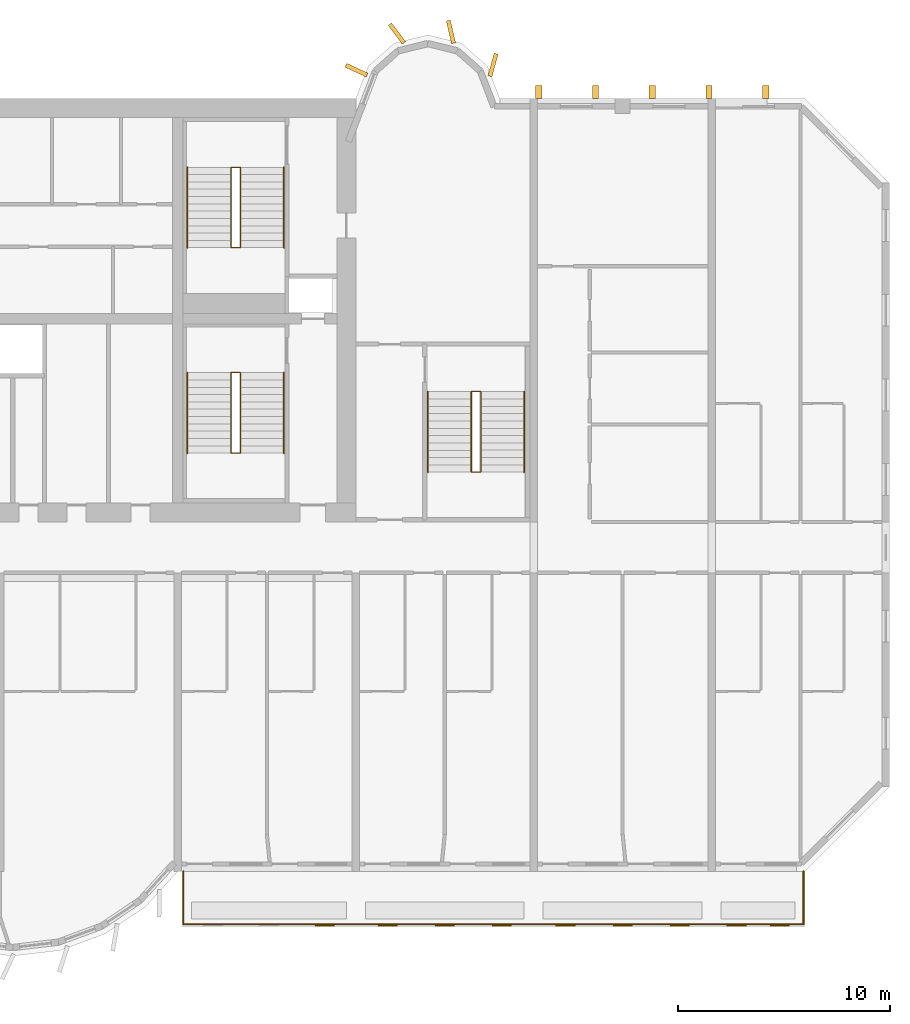
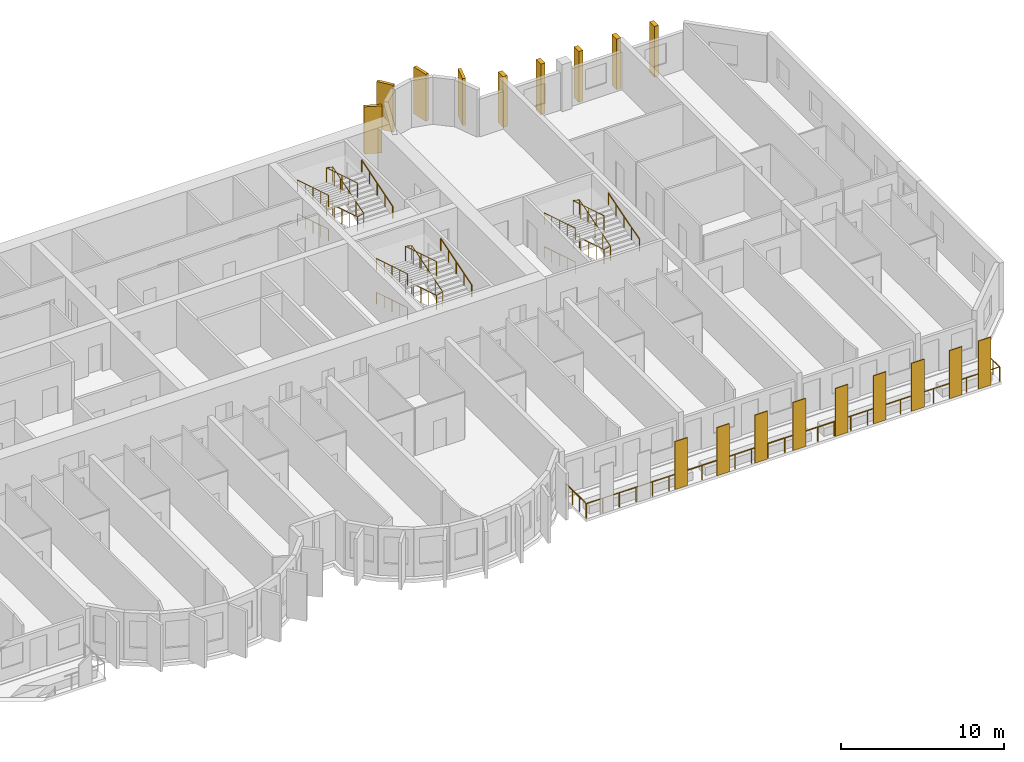
# One storey, part 14 of 15: 18 coverings, 13 railings.
"""IFC4 building model written with IfcOpenShell, lengths in metres."""

from ifc_helpers import new_model, si_unit, direction, frame, origin, origin_2d, place, context, subcontext, project, spatial, rectangle, circle, extrude, source, transform, mapped, material, layer, layer_set, material_profile, profile_set, type_object, element, save


model = new_model("IFC4")

# Units and contexts
model_context = context("Model", 3, precision=1e-05, world=origin(), true_north=direction((0.0, 1.0)))
body_context = subcontext(model_context, "Body", "Model", "MODEL_VIEW")
ifc_project = project(units=[si_unit("LENGTHUNIT", "METRE"), si_unit("AREAUNIT", "SQUARE_METRE"), si_unit("VOLUMEUNIT", "CUBIC_METRE"), si_unit("PLANEANGLEUNIT", "RADIAN"), si_unit("MASSUNIT", "GRAM", prefix="KILO")], contexts=[model_context])

# Site, building, storey
site_placement = place(None, origin())
site = spatial("IfcSite", under=ifc_project, at=site_placement, CompositionType="ELEMENT")
building_placement = place(site_placement, origin())
building = spatial("IfcBuilding", under=site, at=building_placement, Name="Vanashikhar Sky Hotel", CompositionType="ELEMENT")
storey_placement = place(building_placement, frame((0.0, 0.0, 95.199951171875)))
storey = spatial("IfcBuildingStorey", under=building, at=storey_placement, Name="L22", CompositionType="ELEMENT", Elevation=95.199951171875)

# Railing
ifc_material_1 = material(Name="Stainless steel 316", Category="steel")
railing_type_1 = type_object("IfcRailingType", Name="Balcony guard 1100", PredefinedType="GUARDRAIL", material=ifc_material_1)
shared_shape_1 = source(origin(), body_context, "Body", "SweptSolid", [
    extrude(circle(Radius=0.02392578125, at=origin_2d()), frame((0.0, 0.0, 1.076171875), z_axis=(0.0, -1.0, 0.0), x_axis=(1.0, 0.0, 0.0)), (0.0, 0.0, 1.0), 2.5),
    extrude(circle(Radius=0.02392578125, at=origin_2d()), frame((0.0, -2.5, 1.076171875), z_axis=(1.0, 0.0, 0.0), x_axis=(0.0, 1.0, 0.0)), (0.0, 0.0, 1.0), 29.280029296875),
    extrude(circle(Radius=0.02392578125, at=origin_2d()), frame((29.280029296875, -2.5, 1.076171875), z_axis=(0.0, 1.0, 0.0), x_axis=(-1.0, 0.0, 0.0)), (0.0, 0.0, 1.0), 2.5),
    extrude(circle(Radius=0.02099609375, at=origin_2d()), origin(), (0.0, 0.0, 1.0), 1.052001953125),
    extrude(circle(Radius=0.02099609375, at=origin_2d()), frame((0.0, -0.833251953125, 0.0)), (0.0, 0.0, 1.0), 1.052001953125),
    extrude(circle(Radius=0.02099609375, at=origin_2d()), frame((0.0, -1.666748046875, 0.0)), (0.0, 0.0, 1.0), 1.052001953125),
    extrude(circle(Radius=0.02099609375, at=origin_2d()), frame((0.0, -2.5, 0.0)), (0.0, 0.0, 1.0), 1.052001953125),
    extrude(circle(Radius=0.02099609375, at=origin_2d()), frame((1.171142578125, -2.5, 0.0)), (0.0, 0.0, 1.0), 1.052001953125),
    extrude(circle(Radius=0.02099609375, at=origin_2d()), frame((2.34228515625, -2.5, 0.0)), (0.0, 0.0, 1.0), 1.052001953125),
    extrude(circle(Radius=0.02099609375, at=origin_2d()), frame((3.513671875, -2.5, 0.0)), (0.0, 0.0, 1.0), 1.052001953125),
    extrude(circle(Radius=0.02099609375, at=origin_2d()), frame((4.684814453125, -2.5, 0.0)), (0.0, 0.0, 1.0), 1.052001953125),
    extrude(circle(Radius=0.02099609375, at=origin_2d()), frame((5.85595703125, -2.5, 0.0)), (0.0, 0.0, 1.0), 1.052001953125),
    extrude(circle(Radius=0.02099609375, at=origin_2d()), frame((7.027099609375, -2.5, 0.0)), (0.0, 0.0, 1.0), 1.052001953125),
    extrude(circle(Radius=0.02099609375, at=origin_2d()), frame((8.198486328125, -2.5, 0.0)), (0.0, 0.0, 1.0), 1.052001953125),
    extrude(circle(Radius=0.02099609375, at=origin_2d()), frame((9.36962890625, -2.5, 0.0)), (0.0, 0.0, 1.0), 1.052001953125),
    extrude(circle(Radius=0.02099609375, at=origin_2d()), frame((10.540771484375, -2.5, 0.0)), (0.0, 0.0, 1.0), 1.052001953125),
    extrude(circle(Radius=0.02099609375, at=origin_2d()), frame((11.7119140625, -2.5, 0.0)), (0.0, 0.0, 1.0), 1.052001953125),
    extrude(circle(Radius=0.02099609375, at=origin_2d()), frame((12.88330078125, -2.5, 0.0)), (0.0, 0.0, 1.0), 1.052001953125),
    extrude(circle(Radius=0.02099609375, at=origin_2d()), frame((14.054443359375, -2.5, 0.0)), (0.0, 0.0, 1.0), 1.052001953125),
    extrude(circle(Radius=0.02099609375, at=origin_2d()), frame((15.2255859375, -2.5, 0.0)), (0.0, 0.0, 1.0), 1.052001953125),
    extrude(circle(Radius=0.02099609375, at=origin_2d()), frame((16.396728515625, -2.5, 0.0)), (0.0, 0.0, 1.0), 1.052001953125),
    extrude(circle(Radius=0.02099609375, at=origin_2d()), frame((17.568115234375, -2.5, 0.0)), (0.0, 0.0, 1.0), 1.052001953125),
    extrude(circle(Radius=0.02099609375, at=origin_2d()), frame((18.7392578125, -2.5, 0.0)), (0.0, 0.0, 1.0), 1.052001953125),
    extrude(circle(Radius=0.02099609375, at=origin_2d()), frame((19.910400390625, -2.5, 0.0)), (0.0, 0.0, 1.0), 1.052001953125),
    extrude(circle(Radius=0.02099609375, at=origin_2d()), frame((21.08154296875, -2.5, 0.0)), (0.0, 0.0, 1.0), 1.052001953125),
    extrude(circle(Radius=0.02099609375, at=origin_2d()), frame((22.2529296875, -2.5, 0.0)), (0.0, 0.0, 1.0), 1.052001953125),
    extrude(circle(Radius=0.02099609375, at=origin_2d()), frame((23.424072265625, -2.5, 0.0)), (0.0, 0.0, 1.0), 1.052001953125),
    extrude(circle(Radius=0.02099609375, at=origin_2d()), frame((24.59521484375, -2.5, 0.0)), (0.0, 0.0, 1.0), 1.052001953125),
    extrude(circle(Radius=0.02099609375, at=origin_2d()), frame((25.766357421875, -2.5, 0.0)), (0.0, 0.0, 1.0), 1.052001953125),
    extrude(circle(Radius=0.02099609375, at=origin_2d()), frame((26.937744140625, -2.5, 0.0)), (0.0, 0.0, 1.0), 1.052001953125),
    extrude(circle(Radius=0.02099609375, at=origin_2d()), frame((28.10888671875, -2.5, 0.0)), (0.0, 0.0, 1.0), 1.052001953125),
    extrude(circle(Radius=0.02099609375, at=origin_2d()), frame((29.280029296875, -2.5, 0.0)), (0.0, 0.0, 1.0), 1.052001953125),
    extrude(circle(Radius=0.02099609375, at=origin_2d()), frame((29.280029296875, -1.666748046875, 0.0)), (0.0, 0.0, 1.0), 1.052001953125),
    extrude(circle(Radius=0.02099609375, at=origin_2d()), frame((29.280029296875, -0.833251953125, 0.0)), (0.0, 0.0, 1.0), 1.052001953125),
    extrude(circle(Radius=0.02099609375, at=origin_2d()), frame((29.280029296875, 0.0, 0.0)), (0.0, 0.0, 1.0), 1.052001953125),
])
railing_1_placement = place(storey_placement, frame((67.4599609375, 5.5, -0.050048828125)))
element("IfcRailing", 1, at=railing_1_placement, inside=storey, type_object=railing_type_1, Name="Balcony guard", PredefinedType="GUARDRAIL", context=body_context, shape_type="MappedRepresentation", body=[
    mapped(shared_shape_1, transform((0.0, 0.0, 0.0), scale=1.0)),
])

# Coverings
ifc_material_2 = material(Name="Terracotta", Category="masonry")
ifc_layer = layer(ifc_material_2, 0.06005859375)
ifc_layer_set = layer_set([ifc_layer], Name="Terracotta baguette screen")
covering_type_1 = type_object("IfcCoveringType", Name="Terracotta baguette screen", PredefinedType="CLADDING", material=ifc_layer_set)
shared_shape_2 = source(origin(), body_context, "Body", "SweptSolid", [
    extrude(rectangle(XDim=0.89990234375, YDim=0.06005859375, at=origin_2d()), origin(), (0.0, 0.0, 1.0), 3.60009765625),
])
for number, where, z_axis, x_axis, name in (
    (2, (74.13330078125, 2.929931640625, -0.050048828125), (0.0, 0.0, 1.0), (1.0, 0.0, 0.0), "Terracotta screen"),
    (3, (77.10009765625, 2.929931640625, -0.050048828125), (0.0, 0.0, 1.0), (1.0, 0.0, 0.0), "Terracotta screen"),
    (4, (79.800048828125, 2.929931640625, -0.050048828125), (0.0, 0.0, 1.0), (1.0, 0.0, 0.0), "Terracotta screen"),
    (5, (82.5, 2.929931640625, -0.050048828125), (0.0, 0.0, 1.0), (1.0, 0.0, 0.0), "Terracotta screen"),
    (6, (85.5, 2.929931640625, -0.050048828125), (0.0, 0.0, 1.0), (1.0, 0.0, 0.0), "Terracotta screen"),
    (7, (88.199951171875, 2.929931640625, -0.050048828125), (0.0, 0.0, 1.0), (1.0, 0.0, 0.0), "Terracotta screen"),
    (8, (90.89990234375, 2.929931640625, -0.050048828125), (0.0, 0.0, 1.0), (1.0, 0.0, 0.0), "Terracotta screen"),
    (9, (93.574951171875, 2.929931640625, -0.050048828125), (0.0, 0.0, 1.0), (1.0, 0.0, 0.0), "Terracotta screen"),
    (10, (95.625, 2.929931640625, -0.050048828125), (0.0, 0.0, 1.0), (1.0, 0.0, 0.0), "Terracotta screen"),
):
    element("IfcCovering", number, at=place(storey_placement, frame(where, z_axis=z_axis, x_axis=x_axis)), inside=storey, type_object=covering_type_1, Name=name, PredefinedType="CLADDING", context=body_context, shape_type="MappedRepresentation", body=[
        mapped(shared_shape_2, transform((0.0, 0.0, 0.0), scale=1.0)),
    ])
ifc_material_3 = material(Name="Concrete M60 dark", Category="concrete")
ifc_material_profile_1 = material_profile(ifc_material_3, rectangle(XDim=1.10009765625, YDim=0.199951171875, at=origin_2d()))
ifc_profile_set_1 = profile_set([ifc_material_profile_1], Name="Rear lobe fin 1100 x 200")
covering_type_2 = type_object("IfcCoveringType", Name="Rear lobe fin 1100 x 200", PredefinedType="CLADDING", material=ifc_profile_set_1)
shared_shape_3 = source(origin(), body_context, "Body", "SweptSolid", [
    extrude(rectangle(XDim=1.10009765625, YDim=0.199951171875, at=origin_2d()), origin(), (0.0, 0.0, 1.0), 3.52001953125),
])
for number, where, z_axis, x_axis, name in (
    (11, (75.63037109375, 43.33447265625, 0.0), (0.0, 0.0, 1.0), (-0.908004291068, 0.418960866193, 0.0), "Fin R2-1"),
    (12, (77.5380859375, 45.06640625, 0.0), (0.0, 0.0, 1.0), (-0.602065892195, 0.798446404874, 0.0), "Fin R2-2"),
    (13, (80.08984375, 45.1455078125, 0.0), (0.0, 0.0, 1.0), (-0.224644935864, 0.974440687159, 0.0), "Fin R2-3"),
    (14, (82.0791015625, 43.580078125, 0.0), (0.0, 0.0, 1.0), (0.262711264409, 0.964874495234, 0.0), "Fin R2-4"),
):
    element("IfcCovering", number, at=place(storey_placement, frame(where, z_axis=z_axis, x_axis=x_axis)), inside=storey, type_object=covering_type_2, Name=name, PredefinedType="CLADDING", context=body_context, shape_type="MappedRepresentation", body=[
        mapped(shared_shape_3, transform((0.0, 0.0, 0.0), scale=1.0)),
    ])
ifc_material_profile_2 = material_profile(ifc_material_3, rectangle(XDim=0.60009765625, YDim=0.300048828125, at=origin_2d()))
ifc_profile_set_2 = profile_set([ifc_material_profile_2], Name="Rear rib 600 x 300")
covering_type_3 = type_object("IfcCoveringType", Name="Rear rib 600 x 300", PredefinedType="CLADDING", material=ifc_profile_set_2)
shared_shape_4 = source(origin(), body_context, "Body", "SweptSolid", [
    extrude(rectangle(XDim=0.60009765625, YDim=0.300048828125, at=origin_2d()), origin(), (0.0, 0.0, 1.0), 3.800048828125),
])
for number, where, z_axis, x_axis, name in (
    (15, (84.239990234375, 42.300048828125, -0.280029296875), (0.0, 0.0, 1.0), (0.0, 1.0, 0.0), "Rear rib"),
    (16, (86.919921875, 42.300048828125, -0.280029296875), (0.0, 0.0, 1.0), (0.0, 1.0, 0.0), "Rear rib"),
    (17, (89.60009765625, 42.300048828125, -0.280029296875), (0.0, 0.0, 1.0), (0.0, 1.0, 0.0), "Rear rib"),
    (18, (92.280029296875, 42.300048828125, -0.280029296875), (0.0, 0.0, 1.0), (0.0, 1.0, 0.0), "Rear rib"),
    (19, (94.9599609375, 42.300048828125, -0.280029296875), (0.0, 0.0, 1.0), (0.0, 1.0, 0.0), "Rear rib"),
):
    element("IfcCovering", number, at=place(storey_placement, frame(where, z_axis=z_axis, x_axis=x_axis)), inside=storey, type_object=covering_type_3, Name=name, PredefinedType="CLADDING", context=body_context, shape_type="MappedRepresentation", body=[
        mapped(shared_shape_4, transform((0.0, 0.0, 0.0), scale=1.0)),
    ])

# Railings
ifc_material_4 = material(Name="Steel S355", Category="steel")
railing_type_2 = type_object("IfcRailingType", Name="Stair handrail 900", PredefinedType="HANDRAIL", material=ifc_material_4)
shared_shape_5 = source(origin(), body_context, "Body", "SweptSolid", [
    extrude(circle(Radius=0.02392578125, at=origin_2d()), frame((0.0, 0.0, 0.8759765625), z_axis=(0.0, 0.95635109408, 0.292220096591), x_axis=(-1.0, 0.0, 0.0)), (0.0, 0.0, 1.0), 3.973388671875),
    extrude(circle(Radius=0.02099609375, at=origin_2d()), origin(), (0.0, 0.0, 1.0), 0.851806640625),
    extrude(circle(Radius=0.02099609375, at=origin_2d()), frame((0.0, 0.949951171875, 0.290283203125)), (0.0, 0.0, 1.0), 0.851806640625),
    extrude(circle(Radius=0.02099609375, at=origin_2d()), frame((0.0, 1.89990234375, 0.58056640625)), (0.0, 0.0, 1.0), 0.851806640625),
    extrude(circle(Radius=0.02099609375, at=origin_2d()), frame((0.0, 2.85009765625, 0.870849609375)), (0.0, 0.0, 1.0), 0.851806640625),
    extrude(circle(Radius=0.02099609375, at=origin_2d()), frame((0.0, 3.800048828125, 1.1611328125)), (0.0, 0.0, 1.0), 0.851806640625),
])
for number, where, name in (
    (20, (72.199951171875, 25.25, 1.372314453125), "Exit stair 2 handrail"),
    (21, (72.199951171875, 34.949951171875, 1.372314453125), "Exit stair 6 handrail"),
):
    element("IfcRailing", number, at=place(storey_placement, frame(where)), inside=storey, type_object=railing_type_2, Name=name, PredefinedType="HANDRAIL", context=body_context, shape_type="MappedRepresentation", body=[
        mapped(shared_shape_5, transform((0.0, 0.0, 0.0), scale=1.0)),
    ])
shared_shape_6 = source(origin(), body_context, "Body", "SweptSolid", [
    extrude(circle(Radius=0.02392578125, at=origin_2d()), frame((0.0, 0.0, 0.8759765625), z_axis=(0.0, -0.95635109408, 0.292220096591), x_axis=(1.0, 0.0, 0.0)), (0.0, 0.0, 1.0), 3.973388671875),
    extrude(circle(Radius=0.02099609375, at=origin_2d()), origin(), (0.0, 0.0, 1.0), 0.851806640625),
    extrude(circle(Radius=0.02099609375, at=origin_2d()), frame((0.0, -0.949951171875, 0.290283203125)), (0.0, 0.0, 1.0), 0.851806640625),
    extrude(circle(Radius=0.02099609375, at=origin_2d()), frame((0.0, -1.89990234375, 0.58056640625)), (0.0, 0.0, 1.0), 0.851806640625),
    extrude(circle(Radius=0.02099609375, at=origin_2d()), frame((0.0, -2.85009765625, 0.870849609375)), (0.0, 0.0, 1.0), 0.851806640625),
    extrude(circle(Radius=0.02099609375, at=origin_2d()), frame((0.0, -3.800048828125, 1.1611328125)), (0.0, 0.0, 1.0), 0.851806640625),
])
for number, where, name in (
    (22, (67.64990234375, 29.050048828125, 2.638916015625), "Exit stair 2 handrail"),
    (23, (67.64990234375, 38.75, 2.638916015625), "Exit stair 6 handrail"),
):
    element("IfcRailing", number, at=place(storey_placement, frame(where)), inside=storey, type_object=railing_type_2, Name=name, PredefinedType="HANDRAIL", context=body_context, shape_type="MappedRepresentation", body=[
        mapped(shared_shape_6, transform((0.0, 0.0, 0.0), scale=1.0)),
    ])
shared_shape_7 = source(origin(), body_context, "Body", "SweptSolid", [
    extrude(circle(Radius=0.02392578125, at=origin_2d()), frame((0.0, 0.0, 0.8759765625), z_axis=(0.0, -0.956368263741, 0.292163899395), x_axis=(1.0, 0.0, 0.0)), (0.0, 0.0, 1.0), 3.973388671875),
    extrude(circle(Radius=0.02099609375, at=origin_2d()), origin(), (0.0, 0.0, 1.0), 0.851806640625),
    extrude(circle(Radius=0.02099609375, at=origin_2d()), frame((0.0, -0.949951171875, 0.290283203125)), (0.0, 0.0, 1.0), 0.851806640625),
    extrude(circle(Radius=0.02099609375, at=origin_2d()), frame((0.0, -1.89990234375, 0.58056640625)), (0.0, 0.0, 1.0), 0.851806640625),
    extrude(circle(Radius=0.02099609375, at=origin_2d()), frame((0.0, -2.85009765625, 0.87060546875)), (0.0, 0.0, 1.0), 0.851806640625),
    extrude(circle(Radius=0.02099609375, at=origin_2d()), frame((0.0, -3.800048828125, 1.160888671875)), (0.0, 0.0, 1.0), 0.851806640625),
])
for number, where, name in (
    (24, (67.64990234375, 29.050048828125, 0.105712890625), "Exit stair 2 handrail"),
    (25, (67.64990234375, 38.75, 0.105712890625), "Exit stair 6 handrail"),
):
    element("IfcRailing", number, at=place(storey_placement, frame(where)), inside=storey, type_object=railing_type_2, Name=name, PredefinedType="HANDRAIL", context=body_context, shape_type="MappedRepresentation", body=[
        mapped(shared_shape_7, transform((0.0, 0.0, 0.0), scale=1.0)),
    ])
railing_type_3 = type_object("IfcRailingType", Name="Stair guard 1100", PredefinedType="GUARDRAIL", material=ifc_material_4)
shared_shape_8 = source(origin(), body_context, "Body", "SweptSolid", [
    extrude(circle(Radius=0.02392578125, at=origin_2d()), frame((0.0, 0.0, 1.076171875), z_axis=(-0.973493315427, 0.0, 0.228715466945), x_axis=(0.0, -1.0, 0.0)), (0.0, 0.0, 1.0), 0.462158203125),
    extrude(circle(Radius=0.02392578125, at=origin_2d()), frame((-0.449951171875, 0.0, 1.181640625), z_axis=(0.0, -0.956368263741, 0.292163899395), x_axis=(1.0, 0.0, 0.0)), (0.0, 0.0, 1.0), 3.973388671875),
    extrude(circle(Radius=0.02392578125, at=origin_2d()), frame((-0.449951171875, -3.800048828125, 2.3427734375), z_axis=(0.973493315427, 0.0, 0.228715466945), x_axis=(0.0, 1.0, 0.0)), (0.0, 0.0, 1.0), 0.462158203125),
    extrude(circle(Radius=0.02392578125, at=origin_2d()), frame((0.0, -3.800048828125, 2.4482421875), z_axis=(0.0, 0.95635109408, 0.292220096591), x_axis=(-1.0, 0.0, 0.0)), (0.0, 0.0, 1.0), 3.973388671875),
    extrude(circle(Radius=0.02392578125, at=origin_2d()), frame((0.0, 0.0, 3.609375), z_axis=(-0.973610808694, 0.0, 0.228214796178), x_axis=(0.0, -1.0, 0.0)), (0.0, 0.0, 1.0), 0.462158203125),
    extrude(circle(Radius=0.02392578125, at=origin_2d()), frame((-0.449951171875, 0.0, 3.71484375), z_axis=(0.0, -0.95635109408, 0.292220096591), x_axis=(1.0, 0.0, 0.0)), (0.0, 0.0, 1.0), 3.973388671875),
    extrude(circle(Radius=0.02099609375, at=origin_2d()), origin(), (0.0, 0.0, 1.0), 1.052001953125),
    extrude(circle(Radius=0.02099609375, at=origin_2d()), frame((-0.449951171875, 0.0, 0.105712890625)), (0.0, 0.0, 1.0), 1.052001953125),
    extrude(circle(Radius=0.02099609375, at=origin_2d()), frame((-0.449951171875, -0.949951171875, 0.39599609375)), (0.0, 0.0, 1.0), 1.052001953125),
    extrude(circle(Radius=0.02099609375, at=origin_2d()), frame((-0.449951171875, -1.89990234375, 0.68603515625)), (0.0, 0.0, 1.0), 1.052001953125),
    extrude(circle(Radius=0.02099609375, at=origin_2d()), frame((-0.449951171875, -2.85009765625, 0.976318359375)), (0.0, 0.0, 1.0), 1.052001953125),
    extrude(circle(Radius=0.02099609375, at=origin_2d()), frame((-0.449951171875, -3.800048828125, 1.2666015625)), (0.0, 0.0, 1.0), 1.052001953125),
    extrude(circle(Radius=0.02099609375, at=origin_2d()), frame((0.0, -3.800048828125, 1.372314453125)), (0.0, 0.0, 1.0), 1.052001953125),
    extrude(circle(Radius=0.02099609375, at=origin_2d()), frame((0.0, -2.85009765625, 1.66259765625)), (0.0, 0.0, 1.0), 1.052001953125),
    extrude(circle(Radius=0.02099609375, at=origin_2d()), frame((0.0, -1.89990234375, 1.952880859375)), (0.0, 0.0, 1.0), 1.052001953125),
    extrude(circle(Radius=0.02099609375, at=origin_2d()), frame((0.0, -0.949951171875, 2.2431640625)), (0.0, 0.0, 1.0), 1.052001953125),
    extrude(circle(Radius=0.02099609375, at=origin_2d()), frame((0.0, 0.0, 2.533447265625)), (0.0, 0.0, 1.0), 1.052001953125),
    extrude(circle(Radius=0.02099609375, at=origin_2d()), frame((-0.449951171875, 0.0, 2.638916015625)), (0.0, 0.0, 1.0), 1.052001953125),
    extrude(circle(Radius=0.02099609375, at=origin_2d()), frame((-0.449951171875, -0.949951171875, 2.92919921875)), (0.0, 0.0, 1.0), 1.052001953125),
    extrude(circle(Radius=0.02099609375, at=origin_2d()), frame((-0.449951171875, -1.89990234375, 3.219482421875)), (0.0, 0.0, 1.0), 1.052001953125),
    extrude(circle(Radius=0.02099609375, at=origin_2d()), frame((-0.449951171875, -2.85009765625, 3.509765625)), (0.0, 0.0, 1.0), 1.052001953125),
    extrude(circle(Radius=0.02099609375, at=origin_2d()), frame((-0.449951171875, -3.800048828125, 3.800048828125)), (0.0, 0.0, 1.0), 1.052001953125),
])
for number, where, name in (
    (26, (70.14990234375, 29.050048828125, 0.0), "Exit stair 2 guard"),
    (27, (70.14990234375, 38.75, 0.0), "Exit stair 6 guard"),
):
    element("IfcRailing", number, at=place(storey_placement, frame(where)), inside=storey, type_object=railing_type_3, Name=name, PredefinedType="GUARDRAIL", context=body_context, shape_type="MappedRepresentation", body=[
        mapped(shared_shape_8, transform((0.0, 0.0, 0.0), scale=1.0)),
    ])
shared_shape_9 = source(origin(), body_context, "Body", "SweptSolid", [
    extrude(circle(Radius=0.02392578125, at=origin_2d()), frame((0.0, 0.0, 0.8759765625), z_axis=(0.0, 0.956345846891, 0.292237268557), x_axis=(-1.0, 0.0, 0.0)), (0.0, 0.0, 1.0), 3.97314453125),
    extrude(circle(Radius=0.02099609375, at=origin_2d()), origin(), (0.0, 0.0, 1.0), 0.851806640625),
    extrude(circle(Radius=0.02099609375, at=origin_2d()), frame((0.0, 0.949951171875, 0.290283203125)), (0.0, 0.0, 1.0), 0.851806640625),
    extrude(circle(Radius=0.02099609375, at=origin_2d()), frame((0.0, 1.89990234375, 0.58056640625)), (0.0, 0.0, 1.0), 0.851806640625),
    extrude(circle(Radius=0.02099609375, at=origin_2d()), frame((0.0, 2.849853515625, 0.870849609375)), (0.0, 0.0, 1.0), 0.851806640625),
    extrude(circle(Radius=0.02099609375, at=origin_2d()), frame((0.0, 3.7998046875, 1.1611328125)), (0.0, 0.0, 1.0), 0.851806640625),
])
railing_2_placement = place(storey_placement, frame((83.550048828125, 24.35009765625, 1.372314453125)))
element("IfcRailing", 28, at=railing_2_placement, inside=storey, type_object=railing_type_2, Name="Exit stair 4 handrail", PredefinedType="HANDRAIL", context=body_context, shape_type="MappedRepresentation", body=[
    mapped(shared_shape_9, transform((0.0, 0.0, 0.0), scale=1.0)),
])
shared_shape_10 = source(origin(), body_context, "Body", "SweptSolid", [
    extrude(circle(Radius=0.02392578125, at=origin_2d()), frame((0.0, 0.0, 0.8759765625), z_axis=(0.0, -0.956345846891, 0.292237268557), x_axis=(1.0, 0.0, 0.0)), (0.0, 0.0, 1.0), 3.97314453125),
    extrude(circle(Radius=0.02099609375, at=origin_2d()), origin(), (0.0, 0.0, 1.0), 0.851806640625),
    extrude(circle(Radius=0.02099609375, at=origin_2d()), frame((0.0, -0.949951171875, 0.290283203125)), (0.0, 0.0, 1.0), 0.851806640625),
    extrude(circle(Radius=0.02099609375, at=origin_2d()), frame((0.0, -1.89990234375, 0.58056640625)), (0.0, 0.0, 1.0), 0.851806640625),
    extrude(circle(Radius=0.02099609375, at=origin_2d()), frame((0.0, -2.849853515625, 0.870849609375)), (0.0, 0.0, 1.0), 0.851806640625),
    extrude(circle(Radius=0.02099609375, at=origin_2d()), frame((0.0, -3.7998046875, 1.1611328125)), (0.0, 0.0, 1.0), 0.851806640625),
])
railing_3_placement = place(storey_placement, frame((79.0, 28.14990234375, 2.638916015625)))
element("IfcRailing", 29, at=railing_3_placement, inside=storey, type_object=railing_type_2, Name="Exit stair 4 handrail", PredefinedType="HANDRAIL", context=body_context, shape_type="MappedRepresentation", body=[
    mapped(shared_shape_10, transform((0.0, 0.0, 0.0), scale=1.0)),
])
shared_shape_11 = source(origin(), body_context, "Body", "SweptSolid", [
    extrude(circle(Radius=0.02392578125, at=origin_2d()), frame((0.0, 0.0, 1.076171875), z_axis=(-0.973493315427, 0.0, 0.228715466945), x_axis=(0.0, -1.0, 0.0)), (0.0, 0.0, 1.0), 0.462158203125),
    extrude(circle(Radius=0.02392578125, at=origin_2d()), frame((-0.449951171875, 0.0, 1.181640625), z_axis=(0.0, -0.956363018476, 0.292181068675), x_axis=(1.0, 0.0, 0.0)), (0.0, 0.0, 1.0), 3.97314453125),
    extrude(circle(Radius=0.02392578125, at=origin_2d()), frame((-0.449951171875, -3.7998046875, 2.3427734375), z_axis=(0.973493315427, 0.0, 0.228715466945), x_axis=(0.0, 1.0, 0.0)), (0.0, 0.0, 1.0), 0.462158203125),
    extrude(circle(Radius=0.02392578125, at=origin_2d()), frame((0.0, -3.7998046875, 2.4482421875), z_axis=(0.0, 0.956345846891, 0.292237268557), x_axis=(-1.0, 0.0, 0.0)), (0.0, 0.0, 1.0), 3.97314453125),
    extrude(circle(Radius=0.02392578125, at=origin_2d()), frame((0.0, 0.0, 3.609375), z_axis=(-0.973610808694, 0.0, 0.228214796178), x_axis=(0.0, -1.0, 0.0)), (0.0, 0.0, 1.0), 0.462158203125),
    extrude(circle(Radius=0.02392578125, at=origin_2d()), frame((-0.449951171875, 0.0, 3.71484375), z_axis=(0.0, -0.956345846891, 0.292237268557), x_axis=(1.0, 0.0, 0.0)), (0.0, 0.0, 1.0), 3.97314453125),
    extrude(circle(Radius=0.02099609375, at=origin_2d()), origin(), (0.0, 0.0, 1.0), 1.052001953125),
    extrude(circle(Radius=0.02099609375, at=origin_2d()), frame((-0.449951171875, 0.0, 0.105712890625)), (0.0, 0.0, 1.0), 1.052001953125),
    extrude(circle(Radius=0.02099609375, at=origin_2d()), frame((-0.449951171875, -0.949951171875, 0.39599609375)), (0.0, 0.0, 1.0), 1.052001953125),
    extrude(circle(Radius=0.02099609375, at=origin_2d()), frame((-0.449951171875, -1.89990234375, 0.68603515625)), (0.0, 0.0, 1.0), 1.052001953125),
    extrude(circle(Radius=0.02099609375, at=origin_2d()), frame((-0.449951171875, -2.849853515625, 0.976318359375)), (0.0, 0.0, 1.0), 1.052001953125),
    extrude(circle(Radius=0.02099609375, at=origin_2d()), frame((-0.449951171875, -3.7998046875, 1.2666015625)), (0.0, 0.0, 1.0), 1.052001953125),
    extrude(circle(Radius=0.02099609375, at=origin_2d()), frame((0.0, -3.7998046875, 1.372314453125)), (0.0, 0.0, 1.0), 1.052001953125),
    extrude(circle(Radius=0.02099609375, at=origin_2d()), frame((0.0, -2.849853515625, 1.66259765625)), (0.0, 0.0, 1.0), 1.052001953125),
    extrude(circle(Radius=0.02099609375, at=origin_2d()), frame((0.0, -1.89990234375, 1.952880859375)), (0.0, 0.0, 1.0), 1.052001953125),
    extrude(circle(Radius=0.02099609375, at=origin_2d()), frame((0.0, -0.949951171875, 2.2431640625)), (0.0, 0.0, 1.0), 1.052001953125),
    extrude(circle(Radius=0.02099609375, at=origin_2d()), frame((0.0, 0.0, 2.533447265625)), (0.0, 0.0, 1.0), 1.052001953125),
    extrude(circle(Radius=0.02099609375, at=origin_2d()), frame((-0.449951171875, 0.0, 2.638916015625)), (0.0, 0.0, 1.0), 1.052001953125),
    extrude(circle(Radius=0.02099609375, at=origin_2d()), frame((-0.449951171875, -0.949951171875, 2.92919921875)), (0.0, 0.0, 1.0), 1.052001953125),
    extrude(circle(Radius=0.02099609375, at=origin_2d()), frame((-0.449951171875, -1.89990234375, 3.219482421875)), (0.0, 0.0, 1.0), 1.052001953125),
    extrude(circle(Radius=0.02099609375, at=origin_2d()), frame((-0.449951171875, -2.849853515625, 3.509765625)), (0.0, 0.0, 1.0), 1.052001953125),
    extrude(circle(Radius=0.02099609375, at=origin_2d()), frame((-0.449951171875, -3.7998046875, 3.800048828125)), (0.0, 0.0, 1.0), 1.052001953125),
])
railing_4_placement = place(storey_placement, frame((81.5, 28.14990234375, 0.0)))
element("IfcRailing", 30, at=railing_4_placement, inside=storey, type_object=railing_type_3, Name="Exit stair 4 guard", PredefinedType="GUARDRAIL", context=body_context, shape_type="MappedRepresentation", body=[
    mapped(shared_shape_11, transform((0.0, 0.0, 0.0), scale=1.0)),
])
shared_shape_12 = source(origin(), body_context, "Body", "SweptSolid", [
    extrude(circle(Radius=0.02392578125, at=origin_2d()), frame((0.0, 0.0, 0.8759765625), z_axis=(0.0, -0.956363018476, 0.292181068675), x_axis=(1.0, 0.0, 0.0)), (0.0, 0.0, 1.0), 3.97314453125),
    extrude(circle(Radius=0.02099609375, at=origin_2d()), origin(), (0.0, 0.0, 1.0), 0.851806640625),
    extrude(circle(Radius=0.02099609375, at=origin_2d()), frame((0.0, -0.949951171875, 0.290283203125)), (0.0, 0.0, 1.0), 0.851806640625),
    extrude(circle(Radius=0.02099609375, at=origin_2d()), frame((0.0, -1.89990234375, 0.58056640625)), (0.0, 0.0, 1.0), 0.851806640625),
    extrude(circle(Radius=0.02099609375, at=origin_2d()), frame((0.0, -2.849853515625, 0.87060546875)), (0.0, 0.0, 1.0), 0.851806640625),
    extrude(circle(Radius=0.02099609375, at=origin_2d()), frame((0.0, -3.7998046875, 1.160888671875)), (0.0, 0.0, 1.0), 0.851806640625),
])
railing_5_placement = place(storey_placement, frame((79.0, 28.14990234375, 0.105712890625)))
element("IfcRailing", 31, at=railing_5_placement, inside=storey, type_object=railing_type_2, Name="Exit stair 4 handrail", PredefinedType="HANDRAIL", context=body_context, shape_type="MappedRepresentation", body=[
    mapped(shared_shape_12, transform((0.0, 0.0, 0.0), scale=1.0)),
])

save(model, "model.ifc")
